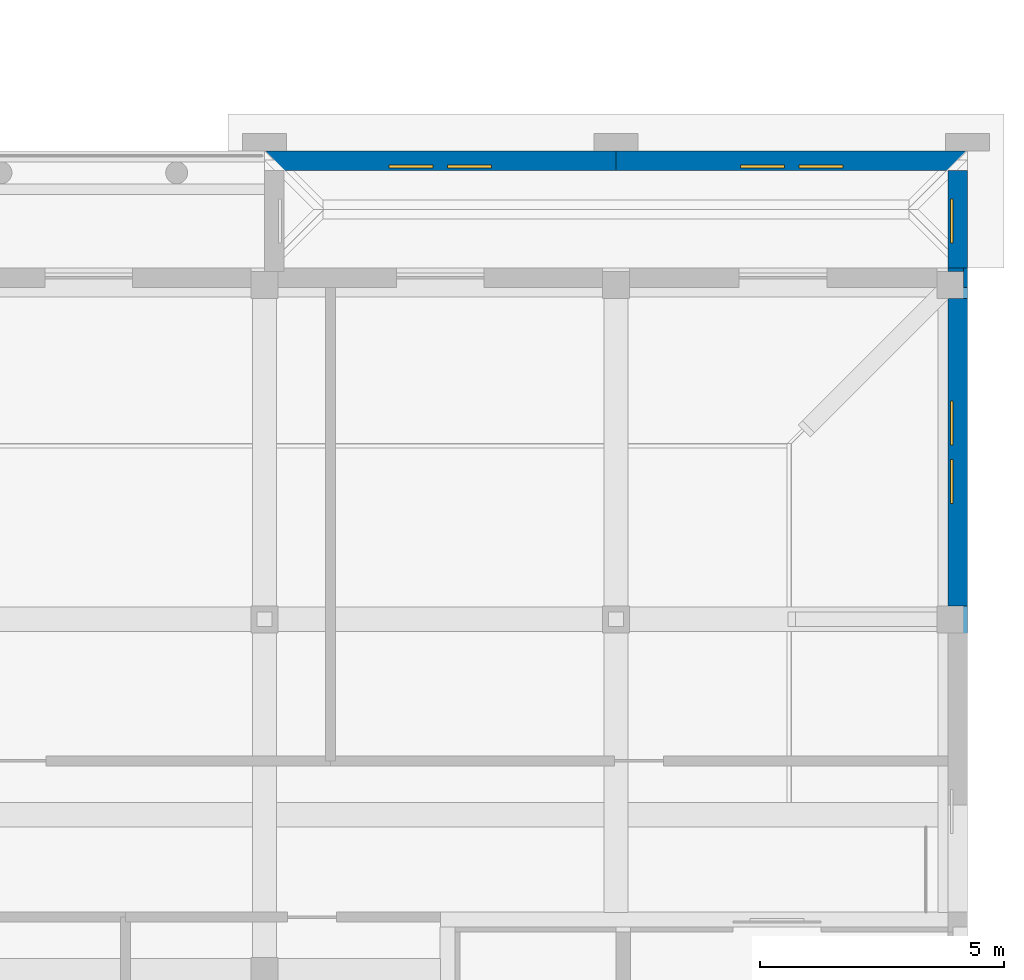
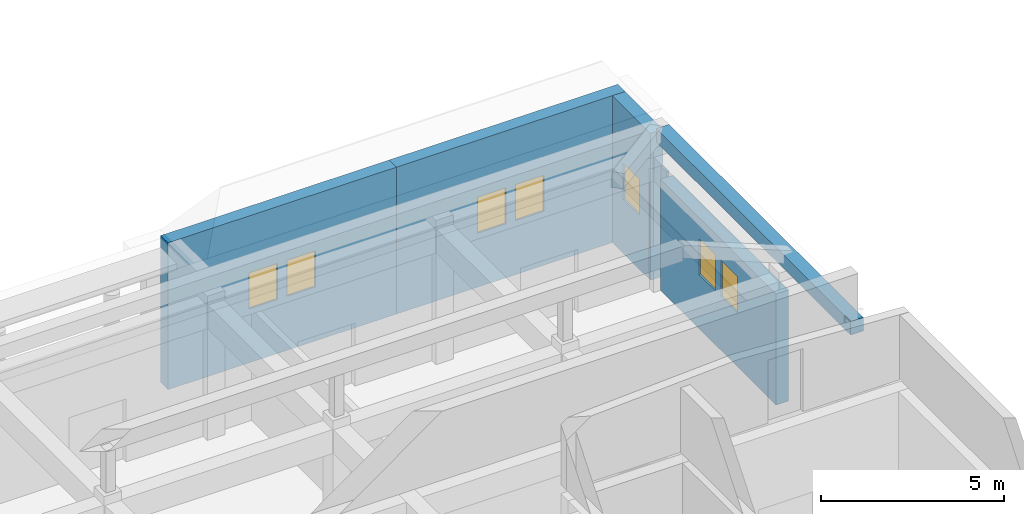
# One storey, part 39 of 48: 7 walls, 7 windows, 7 openings.
"""IFC4 building model written with IfcOpenShell, lengths in metres."""

from ifc_helpers import new_model, si_unit, direction, frame, frame_2d, origin, place, context, subcontext, project, spatial, rectangle, extrude, material, layer, layer_set, type_object, element, fill, save


model = new_model("IFC4")

# Units and contexts
model_context = context("Model", 3, precision=1e-05, world=origin(), true_north=direction((0.0, 1.0)))
body_context = subcontext(model_context, "Body", "Model", "MODEL_VIEW")
ifc_project = project(units=[si_unit("LENGTHUNIT", "METRE"), si_unit("AREAUNIT", "SQUARE_METRE"), si_unit("VOLUMEUNIT", "CUBIC_METRE"), si_unit("PLANEANGLEUNIT", "RADIAN"), si_unit("MASSUNIT", "GRAM", prefix="KILO")], contexts=[model_context])

# Site, building, storey
site_placement = place(None, origin())
site = spatial("IfcSite", under=ifc_project, at=site_placement, CompositionType="ELEMENT")
building_placement = place(site_placement, origin())
building = spatial("IfcBuilding", under=site, at=building_placement, Name="Alderwick Market Hall", CompositionType="ELEMENT")
storey_placement = place(building_placement, frame((0.0, 0.0, 14.39990234375)))
storey = spatial("IfcBuildingStorey", under=building, at=storey_placement, Name="L02", CompositionType="ELEMENT", Elevation=14.39990234375)

# Wall
ifc_material_1 = material(Name="Face brick", Category="masonry")
ifc_layer_1 = layer(ifc_material_1, 0.39990234375)
ifc_layer_set_1 = layer_set([ifc_layer_1], Name="Face brick")
wall_type_1 = type_object("IfcWallType", Name="C Brick Pier Wall 400", PredefinedType="SOLIDWALL", material=ifc_layer_set_1)
wall_1_placement = place(storey_placement, frame((230.324951171875, 28.60009765625, 0.0), z_axis=(0.0, 0.0, 1.0), x_axis=(1.0, 0.0, 0.0)))
element("IfcWall", 1, at=wall_1_placement, inside=storey, type_object=wall_type_1, Name="C.wall.L02.fac.front.12", PredefinedType="SOLIDWALL", context=body_context, shape_type="SweptSolid", body=[
    extrude(rectangle(XDim=0.074951171875, YDim=0.39990234375, at=frame_2d((0.03759765625, 0.0))), origin(), (0.0, 0.0, 1.0), 3.7001953125),
])

# Wall, openings, windows
wall_2_placement = place(storey_placement, frame((216.0, 31.0, 0.0), z_axis=(0.0, 0.0, 1.0), x_axis=(1.0, 0.0, 0.0)))
wall_2 = element("IfcWall", 2, at=wall_2_placement, inside=storey, type_object=wall_type_1, Name="C.wall.L02.pav2.front.01", PredefinedType="SOLIDWALL", context=body_context, shape_type="SweptSolid", body=[
    extrude(rectangle(XDim=7.199951171875, YDim=0.39990234375, at=frame_2d((3.60009765625, 0.0))), origin(), (0.0, 0.0, 1.0), 4.892578125),
])
opening_1_placement = place(wall_2_placement, frame((2.550048828125, 0.0, 1.800048828125)))
opening_1 = element("IfcOpeningElement", 3, at=opening_1_placement, cuts=wall_2, Name="Opening C-W100", PredefinedType="OPENING", context=body_context, shape_type="SweptSolid", body=[
    extrude(rectangle(XDim=0.89990234375, YDim=1.199951171875, at=frame_2d((0.449951171875, 0.60009765625))), frame((0.0, 0.2099609375, 0.0), z_axis=(0.0, -1.0, 0.0), x_axis=(1.0, 0.0, 0.0)), (0.0, 0.0, 1.0), 0.419921875),
])
opening_2_placement = place(wall_2_placement, frame((3.75, 0.0, 1.800048828125)))
opening_2 = element("IfcOpeningElement", 4, at=opening_2_placement, cuts=wall_2, Name="Opening C-W101", PredefinedType="OPENING", context=body_context, shape_type="SweptSolid", body=[
    extrude(rectangle(XDim=0.89990234375, YDim=1.199951171875, at=frame_2d((0.449951171875, 0.60009765625))), frame((0.0, 0.2099609375, 0.0), z_axis=(0.0, -1.0, 0.0), x_axis=(1.0, 0.0, 0.0)), (0.0, 0.0, 1.0), 0.419921875),
])
ifc_material_2 = material(Name="Aluminium frame, double glazing", Category="aluminium")
window_type = type_object("IfcWindowType", Name="C Paired Attic Window 900x1200", PartitioningType="SINGLE_PANEL", PredefinedType="WINDOW", material=ifc_material_2)
window_1_placement = place(opening_1_placement, origin())
window_1 = element("IfcWindow", 5, at=window_1_placement, inside=storey, type_object=window_type, Name="C.win.L02.100", OverallHeight=1.199951171875, OverallWidth=0.89990234375, PartitioningType="SINGLE_PANEL", PredefinedType="WINDOW", context=body_context, shape_type="SweptSolid", body=[
    extrude(rectangle(XDim=0.89990234375, YDim=1.199951171875, at=frame_2d((0.449951171875, 0.60009765625))), frame((0.0, -0.090087890625, 0.0), z_axis=(0.0, -1.0, 0.0), x_axis=(1.0, 0.0, 0.0)), (0.0, 0.0, 1.0), 0.06005859375),
])
fill(opening_1, window_1)
window_2_placement = place(opening_2_placement, origin())
window_2 = element("IfcWindow", 6, at=window_2_placement, inside=storey, type_object=window_type, Name="C.win.L02.101", OverallHeight=1.199951171875, OverallWidth=0.89990234375, PartitioningType="SINGLE_PANEL", PredefinedType="WINDOW", context=body_context, shape_type="SweptSolid", body=[
    extrude(rectangle(XDim=0.89990234375, YDim=1.199951171875, at=frame_2d((0.449951171875, 0.60009765625))), frame((0.0, -0.090087890625, 0.0), z_axis=(0.0, -1.0, 0.0), x_axis=(1.0, 0.0, 0.0)), (0.0, 0.0, 1.0), 0.06005859375),
])
fill(opening_2, window_2)

wall_3_placement = place(storey_placement, frame((223.199951171875, 31.0, 0.0), z_axis=(0.0, 0.0, 1.0), x_axis=(1.0, 0.0, 0.0)))
wall_3 = element("IfcWall", 7, at=wall_3_placement, inside=storey, type_object=wall_type_1, Name="C.wall.L02.pav2.front.02", PredefinedType="SOLIDWALL", context=body_context, shape_type="SweptSolid", body=[
    extrude(rectangle(XDim=7.199951171875, YDim=0.39990234375, at=frame_2d((3.60009765625, 0.0))), origin(), (0.0, 0.0, 1.0), 4.892578125),
])
opening_3_placement = place(wall_3_placement, frame((2.550048828125, 0.0, 1.800048828125)))
opening_3 = element("IfcOpeningElement", 8, at=opening_3_placement, cuts=wall_3, Name="Opening C-W102", PredefinedType="OPENING", context=body_context, shape_type="SweptSolid", body=[
    extrude(rectangle(XDim=0.89990234375, YDim=1.199951171875, at=frame_2d((0.449951171875, 0.60009765625))), frame((0.0, 0.2099609375, 0.0), z_axis=(0.0, -1.0, 0.0), x_axis=(1.0, 0.0, 0.0)), (0.0, 0.0, 1.0), 0.419921875),
])
opening_4_placement = place(wall_3_placement, frame((3.75, 0.0, 1.800048828125)))
opening_4 = element("IfcOpeningElement", 9, at=opening_4_placement, cuts=wall_3, Name="Opening C-W103", PredefinedType="OPENING", context=body_context, shape_type="SweptSolid", body=[
    extrude(rectangle(XDim=0.89990234375, YDim=1.199951171875, at=frame_2d((0.449951171875, 0.60009765625))), frame((0.0, 0.2099609375, 0.0), z_axis=(0.0, -1.0, 0.0), x_axis=(1.0, 0.0, 0.0)), (0.0, 0.0, 1.0), 0.419921875),
])
window_3_placement = place(opening_3_placement, origin())
window_3 = element("IfcWindow", 10, at=window_3_placement, inside=storey, type_object=window_type, Name="C.win.L02.102", OverallHeight=1.199951171875, OverallWidth=0.89990234375, PartitioningType="SINGLE_PANEL", PredefinedType="WINDOW", context=body_context, shape_type="SweptSolid", body=[
    extrude(rectangle(XDim=0.89990234375, YDim=1.199951171875, at=frame_2d((0.449951171875, 0.60009765625))), frame((0.0, -0.090087890625, 0.0), z_axis=(0.0, -1.0, 0.0), x_axis=(1.0, 0.0, 0.0)), (0.0, 0.0, 1.0), 0.06005859375),
])
fill(opening_3, window_3)
window_4_placement = place(opening_4_placement, origin())
window_4 = element("IfcWindow", 11, at=window_4_placement, inside=storey, type_object=window_type, Name="C.win.L02.103", OverallHeight=1.199951171875, OverallWidth=0.89990234375, PartitioningType="SINGLE_PANEL", PredefinedType="WINDOW", context=body_context, shape_type="SweptSolid", body=[
    extrude(rectangle(XDim=0.89990234375, YDim=1.199951171875, at=frame_2d((0.449951171875, 0.60009765625))), frame((0.0, -0.090087890625, 0.0), z_axis=(0.0, -1.0, 0.0), x_axis=(1.0, 0.0, 0.0)), (0.0, 0.0, 1.0), 0.06005859375),
])
fill(opening_4, window_4)

# Wall, opening, window
wall_4_placement = place(storey_placement, frame((230.199951171875, 30.800048828125, 0.0), z_axis=(0.0, 0.0, 1.0), x_axis=(0.0, -1.0, 0.0)))
wall_4 = element("IfcWall", 12, at=wall_4_placement, inside=storey, type_object=wall_type_1, Name="C.wall.L02.pav2.east.01", PredefinedType="SOLIDWALL", context=body_context, shape_type="SweptSolid", body=[
    extrude(rectangle(XDim=2.074951171875, YDim=0.39990234375, at=frame_2d((1.03759765625, 0.0))), origin(), (0.0, 0.0, 1.0), 4.892578125),
])
opening_5_placement = place(wall_4_placement, frame((0.58740234375, 0.0, 1.800048828125)))
opening_5 = element("IfcOpeningElement", 13, at=opening_5_placement, cuts=wall_4, Name="Opening C-W105", PredefinedType="OPENING", context=body_context, shape_type="SweptSolid", body=[
    extrude(rectangle(XDim=0.89990234375, YDim=1.199951171875, at=frame_2d((0.449951171875, 0.60009765625))), frame((0.0, 0.2099609375, 0.0), z_axis=(0.0, -1.0, 0.0), x_axis=(1.0, 0.0, 0.0)), (0.0, 0.0, 1.0), 0.419921875),
])
window_5_placement = place(opening_5_placement, origin())
window_5 = element("IfcWindow", 14, at=window_5_placement, inside=storey, type_object=window_type, Name="C.win.L02.105", OverallHeight=1.199951171875, OverallWidth=0.89990234375, PartitioningType="SINGLE_PANEL", PredefinedType="WINDOW", context=body_context, shape_type="SweptSolid", body=[
    extrude(rectangle(XDim=0.89990234375, YDim=1.199951171875, at=frame_2d((0.449951171875, 0.60009765625))), frame((0.0, -0.090087890625, 0.0), z_axis=(0.0, -1.0, 0.0), x_axis=(1.0, 0.0, 0.0)), (0.0, 0.0, 1.0), 0.06005859375),
])
fill(opening_5, window_5)

# Walls
ifc_material_3 = material(Name="Concrete 5000 psi (f'c 35 MPa)", Category="concrete")
ifc_layer_2 = layer(ifc_material_3, 0.39990234375)
ifc_layer_set_2 = layer_set([ifc_layer_2], Name="Concrete 5000 psi (f'c 35 MPa)")
wall_type_2 = type_object("IfcWallType", Name="C Eaves Kerb Concrete 5000 psi 400", PredefinedType="SOLIDWALL", material=ifc_layer_set_2)
wall_5_placement = place(storey_placement, frame((230.199951171875, 28.39990234375, 4.800048828125), z_axis=(0.0, 0.0, 1.0), x_axis=(0.0, -1.0, 0.0)))
element("IfcWall", 15, at=wall_5_placement, inside=storey, type_object=wall_type_2, Name="C.wall.L02.kerb.east.01", PredefinedType="SOLIDWALL", context=body_context, shape_type="SweptSolid", body=[
    extrude(rectangle(XDim=10.599853515625, YDim=0.39990234375, at=frame_2d((5.2998046875, 0.0))), origin(), (0.0, 0.0, 1.0), 0.449951171875),
])
ifc_layer_3 = layer(ifc_material_3, 0.39990234375)
ifc_layer_set_3 = layer_set([ifc_layer_3], Name="Concrete 5000 psi (f'c 35 MPa)")
wall_type_3 = type_object("IfcWallType", Name="C End Shear Wall Concrete 5000 psi 400", PredefinedType="SHEAR", material=ifc_layer_set_3)
wall_6_placement = place(storey_placement, frame((230.199951171875, 28.800048828125, 0.0), z_axis=(0.0, 0.0, 1.0), x_axis=(0.0, -1.0, 0.0)))
element("IfcWall", 16, at=wall_6_placement, inside=storey, type_object=wall_type_3, Name="C.wall.L02.fac.east.01", PredefinedType="SHEAR", context=body_context, shape_type="SweptSolid", body=[
    extrude(rectangle(XDim=0.074951171875, YDim=0.39990234375, at=frame_2d((0.03759765625, 0.0))), origin(), (0.0, 0.0, 1.0), 3.7001953125),
])

# Wall, openings, windows
wall_7_placement = place(storey_placement, frame((230.199951171875, 28.175048828125, 0.0), z_axis=(0.0, 0.0, 1.0), x_axis=(0.0, -1.0, 0.0)))
wall_7 = element("IfcWall", 17, at=wall_7_placement, inside=storey, type_object=wall_type_3, Name="C.wall.L02.fac.east.02", PredefinedType="SHEAR", context=body_context, shape_type="SweptSolid", body=[
    extrude(rectangle(XDim=6.300048828125, YDim=0.39990234375, at=frame_2d((3.14990234375, 0.0))), origin(), (0.0, 0.0, 1.0), 3.7001953125),
])
opening_6_placement = place(wall_7_placement, frame((2.10009765625, 0.0, 1.800048828125)))
opening_6 = element("IfcOpeningElement", 18, at=opening_6_placement, cuts=wall_7, Name="Opening C-W067", PredefinedType="OPENING", context=body_context, shape_type="SweptSolid", body=[
    extrude(rectangle(XDim=0.89990234375, YDim=1.199951171875, at=frame_2d((0.449951171875, 0.60009765625))), frame((0.0, 0.2099609375, 0.0), z_axis=(0.0, -1.0, 0.0), x_axis=(1.0, 0.0, 0.0)), (0.0, 0.0, 1.0), 0.419921875),
])
opening_7_placement = place(wall_7_placement, frame((3.300048828125, 0.0, 1.800048828125)))
opening_7 = element("IfcOpeningElement", 19, at=opening_7_placement, cuts=wall_7, Name="Opening C-W068", PredefinedType="OPENING", context=body_context, shape_type="SweptSolid", body=[
    extrude(rectangle(XDim=0.89990234375, YDim=1.199951171875, at=frame_2d((0.449951171875, 0.60009765625))), frame((0.0, 0.2099609375, 0.0), z_axis=(0.0, -1.0, 0.0), x_axis=(1.0, 0.0, 0.0)), (0.0, 0.0, 1.0), 0.419921875),
])
window_6_placement = place(opening_6_placement, origin())
window_6 = element("IfcWindow", 20, at=window_6_placement, inside=storey, type_object=window_type, Name="C.win.L02.067", OverallHeight=1.199951171875, OverallWidth=0.89990234375, PartitioningType="SINGLE_PANEL", PredefinedType="WINDOW", context=body_context, shape_type="SweptSolid", body=[
    extrude(rectangle(XDim=0.89990234375, YDim=1.199951171875, at=frame_2d((0.449951171875, 0.60009765625))), frame((0.0, -0.090087890625, 0.0), z_axis=(0.0, -1.0, 0.0), x_axis=(1.0, 0.0, 0.0)), (0.0, 0.0, 1.0), 0.06005859375),
])
fill(opening_6, window_6)
window_7_placement = place(opening_7_placement, origin())
window_7 = element("IfcWindow", 21, at=window_7_placement, inside=storey, type_object=window_type, Name="C.win.L02.068", OverallHeight=1.199951171875, OverallWidth=0.89990234375, PartitioningType="SINGLE_PANEL", PredefinedType="WINDOW", context=body_context, shape_type="SweptSolid", body=[
    extrude(rectangle(XDim=0.89990234375, YDim=1.199951171875, at=frame_2d((0.449951171875, 0.60009765625))), frame((0.0, -0.090087890625, 0.0), z_axis=(0.0, -1.0, 0.0), x_axis=(1.0, 0.0, 0.0)), (0.0, 0.0, 1.0), 0.06005859375),
])
fill(opening_7, window_7)

save(model, "model.ifc")
